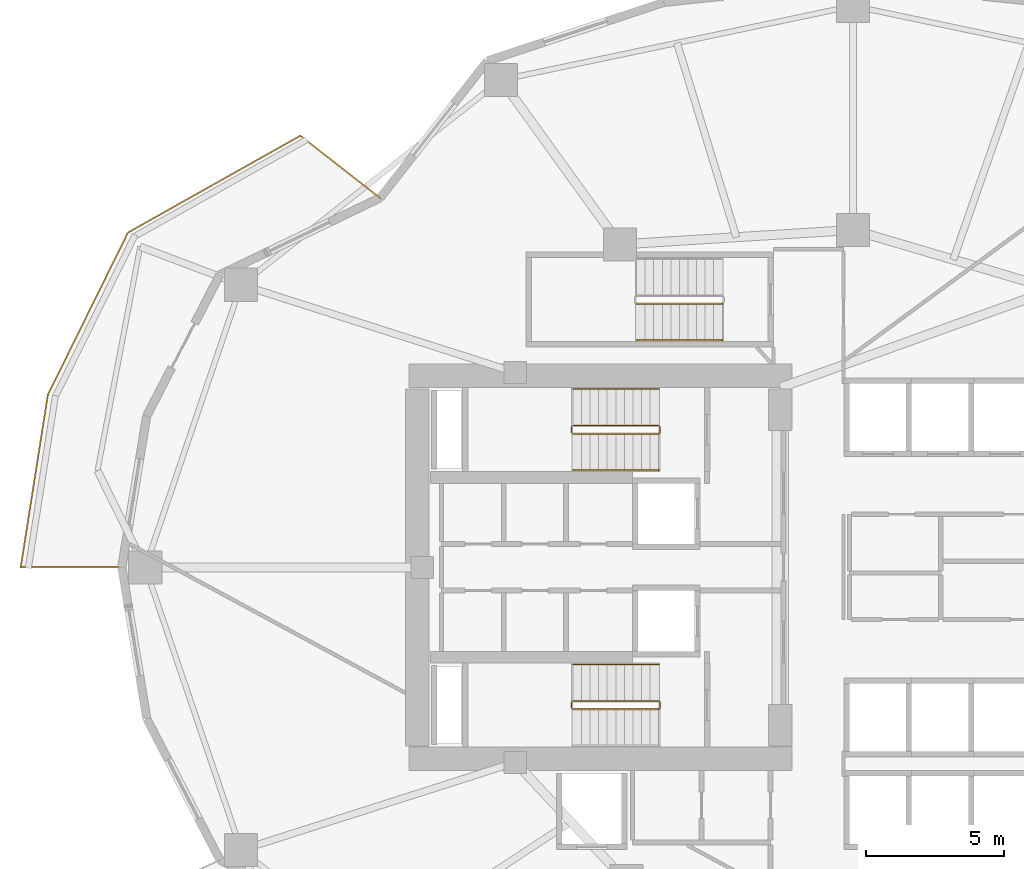
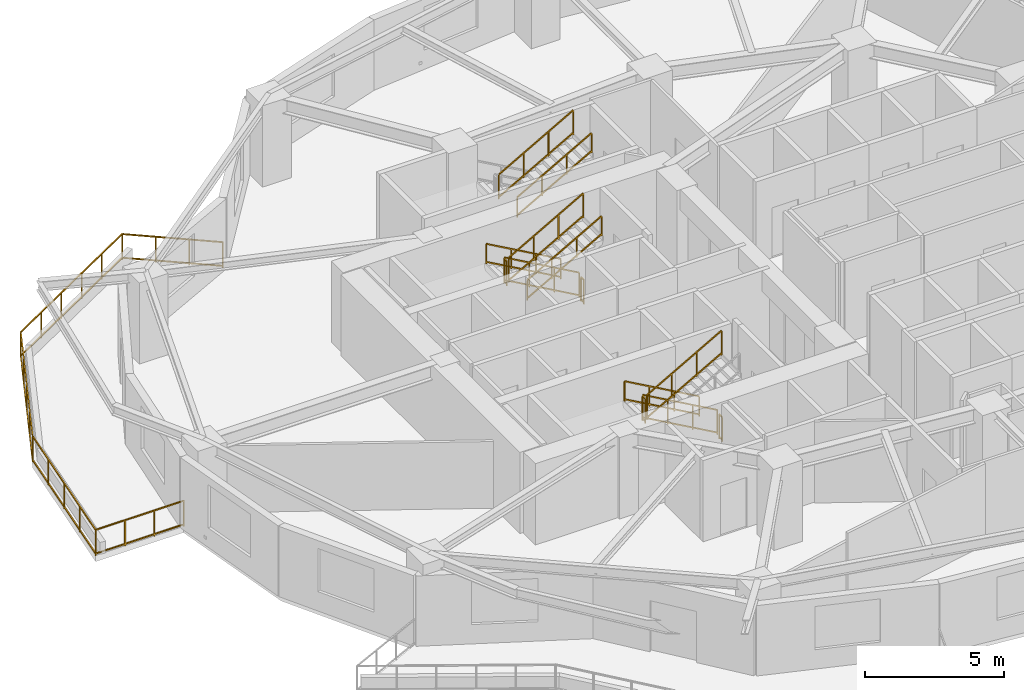
# One storey, part 9 of 11: 14 railings.
"""IFC4 building model written with IfcOpenShell, lengths in metres."""

from ifc_helpers import new_model, si_unit, direction, frame, origin, origin_2d, place, context, subcontext, project, spatial, rectangle, extrude, material, type_object, element, save


model = new_model("IFC4")

# Units and contexts
model_context = context("Model", 3, precision=1e-05, world=origin(), true_north=direction((0.0, 1.0)))
body_context = subcontext(model_context, "Body", "Model", "MODEL_VIEW")
ifc_project = project(units=[si_unit("LENGTHUNIT", "METRE"), si_unit("AREAUNIT", "SQUARE_METRE"), si_unit("VOLUMEUNIT", "CUBIC_METRE"), si_unit("PLANEANGLEUNIT", "RADIAN"), si_unit("MASSUNIT", "GRAM", prefix="KILO")], contexts=[model_context])

# Site, building, storey
site_placement = place(None, origin())
site = spatial("IfcSite", under=ifc_project, at=site_placement, CompositionType="ELEMENT")
building_placement = place(site_placement, origin())
building = spatial("IfcBuilding", under=site, at=building_placement, Name="Kolvaren Gate Tower and Convention Centre", CompositionType="ELEMENT")
storey_placement = place(building_placement, frame((0.0, 0.0, 88.10009765625)))
storey = spatial("IfcBuildingStorey", under=building, at=storey_placement, Name="L21", CompositionType="ELEMENT", Elevation=88.10009765625)

# Railings
ifc_material = material(Name="Brushed Stainless Steel Grade 316L", Category="steel")
railing_type_1 = type_object("IfcRailingType", Name="ARCH-RL-GUARD-1150", PredefinedType="GUARDRAIL", material=ifc_material)
railing_1_placement = place(storey_placement, frame((23.10009765625, 32.1298828125, 0.1748046875)))
element("IfcRailing", 1, at=railing_1_placement, inside=storey, type_object=railing_type_1, Name="L21 ST-T1 stair guard 1", PredefinedType="GUARDRAIL", context=body_context, shape_type="SweptSolid", body=[
    extrude(rectangle(XDim=0.048095703125, YDim=0.048095703125, at=origin_2d()), frame((0.0, 0.0, 1.076171875), z_axis=(-0.870830938388, 0.0, 0.491582624537), x_axis=(0.0, -1.0, 0.0)), (0.0, 0.0, 1.0), 3.559814453125),
    extrude(rectangle(XDim=0.048095703125, YDim=0.048095703125, at=origin_2d()), frame((0.0, 0.0, 0.083984375), z_axis=(-0.870830938388, 0.0, 0.491582624537), x_axis=(0.0, -1.0, 0.0)), (0.0, 0.0, 1.0), 3.559814453125),
    extrude(rectangle(XDim=0.0419921875, YDim=0.0419921875, at=origin_2d()), origin(), (0.0, 0.0, 1.0), 1.050048828125),
    extrude(rectangle(XDim=0.0419921875, YDim=0.0419921875, at=origin_2d()), frame((-3.10009765625, 0.0, 1.75)), (0.0, 0.0, 1.0), 1.050048828125),
    extrude(rectangle(XDim=0.0419921875, YDim=0.0419921875, at=origin_2d()), frame((-1.033447265625, 0.0, 0.583251953125)), (0.0, 0.0, 1.0), 1.050048828125),
    extrude(rectangle(XDim=0.0419921875, YDim=0.0419921875, at=origin_2d()), frame((-2.066650390625, 0.0, 1.166748046875)), (0.0, 0.0, 1.0), 1.050048828125),
])
railing_2_placement = place(storey_placement, frame((19.949951171875, 32.080078125, 1.9248046875)))
element("IfcRailing", 2, at=railing_2_placement, inside=storey, type_object=railing_type_1, Name="L21 ST-T1 stair guard 2", PredefinedType="GUARDRAIL", context=body_context, shape_type="SweptSolid", body=[
    extrude(rectangle(XDim=0.048095703125, YDim=0.048095703125, at=origin_2d()), frame((0.0, 0.0, 1.076171875), z_axis=(0.0, -1.0, 0.0), x_axis=(1.0, 0.0, 0.0)), (0.0, 0.0, 1.0), 0.2001953125),
    extrude(rectangle(XDim=0.048095703125, YDim=0.048095703125, at=origin_2d()), frame((0.0, 0.0, 0.083984375), z_axis=(0.0, -1.0, 0.0), x_axis=(1.0, 0.0, 0.0)), (0.0, 0.0, 1.0), 0.2001953125),
    extrude(rectangle(XDim=0.0419921875, YDim=0.0419921875, at=origin_2d()), origin(), (0.0, 0.0, 1.0), 1.050048828125),
    extrude(rectangle(XDim=0.0419921875, YDim=0.0419921875, at=origin_2d()), frame((0.0, -0.2001953125, 0.0)), (0.0, 0.0, 1.0), 1.050048828125),
])
railing_3_placement = place(storey_placement, frame((20.0, 31.830078125, 2.099853515625)))
element("IfcRailing", 3, at=railing_3_placement, inside=storey, type_object=railing_type_1, Name="L21 ST-T1 stair guard 3", PredefinedType="GUARDRAIL", context=body_context, shape_type="SweptSolid", body=[
    extrude(rectangle(XDim=0.048095703125, YDim=0.048095703125, at=origin_2d()), frame((0.0, 0.0, 1.076171875), z_axis=(0.870830938388, 0.0, 0.491582624537), x_axis=(0.0, 1.0, 0.0)), (0.0, 0.0, 1.0), 3.559814453125),
    extrude(rectangle(XDim=0.048095703125, YDim=0.048095703125, at=origin_2d()), frame((0.0, 0.0, 0.083984375), z_axis=(0.870830938388, 0.0, 0.491582624537), x_axis=(0.0, 1.0, 0.0)), (0.0, 0.0, 1.0), 3.559814453125),
    extrude(rectangle(XDim=0.0419921875, YDim=0.0419921875, at=origin_2d()), origin(), (0.0, 0.0, 1.0), 1.050048828125),
    extrude(rectangle(XDim=0.0419921875, YDim=0.0419921875, at=origin_2d()), frame((3.10009765625, 0.0, 1.75)), (0.0, 0.0, 1.0), 1.050048828125),
    extrude(rectangle(XDim=0.0419921875, YDim=0.0419921875, at=origin_2d()), frame((1.033447265625, 0.0, 0.583251953125)), (0.0, 0.0, 1.0), 1.050048828125),
    extrude(rectangle(XDim=0.0419921875, YDim=0.0419921875, at=origin_2d()), frame((2.066650390625, 0.0, 1.166748046875)), (0.0, 0.0, 1.0), 1.050048828125),
])
railing_4_placement = place(storey_placement, frame((23.14990234375, 32.080078125, 0.0)))
element("IfcRailing", 4, at=railing_4_placement, inside=storey, type_object=railing_type_1, Name="L21 ST-T1 stair guard 4", PredefinedType="GUARDRAIL", context=body_context, shape_type="SweptSolid", body=[
    extrude(rectangle(XDim=0.048095703125, YDim=0.048095703125, at=origin_2d()), frame((0.0, 0.0, 1.076171875), z_axis=(0.0, -1.0, 0.0), x_axis=(1.0, 0.0, 0.0)), (0.0, 0.0, 1.0), 0.2001953125),
    extrude(rectangle(XDim=0.048095703125, YDim=0.048095703125, at=origin_2d()), frame((0.0, 0.0, 0.083984375), z_axis=(0.0, -1.0, 0.0), x_axis=(1.0, 0.0, 0.0)), (0.0, 0.0, 1.0), 0.2001953125),
    extrude(rectangle(XDim=0.0419921875, YDim=0.0419921875, at=origin_2d()), origin(), (0.0, 0.0, 1.0), 1.050048828125),
    extrude(rectangle(XDim=0.0419921875, YDim=0.0419921875, at=origin_2d()), frame((0.0, -0.2001953125, 0.0)), (0.0, 0.0, 1.0), 1.050048828125),
])
railing_5_placement = place(storey_placement, frame((23.10009765625, 22.169921875, 0.1748046875)))
element("IfcRailing", 5, at=railing_5_placement, inside=storey, type_object=railing_type_1, Name="L21 ST-T2 stair guard 1", PredefinedType="GUARDRAIL", context=body_context, shape_type="SweptSolid", body=[
    extrude(rectangle(XDim=0.048095703125, YDim=0.048095703125, at=origin_2d()), frame((0.0, 0.0, 1.076171875), z_axis=(-0.870830938388, 0.0, 0.491582624537), x_axis=(0.0, -1.0, 0.0)), (0.0, 0.0, 1.0), 3.559814453125),
    extrude(rectangle(XDim=0.048095703125, YDim=0.048095703125, at=origin_2d()), frame((0.0, 0.0, 0.083984375), z_axis=(-0.870830938388, 0.0, 0.491582624537), x_axis=(0.0, -1.0, 0.0)), (0.0, 0.0, 1.0), 3.559814453125),
    extrude(rectangle(XDim=0.0419921875, YDim=0.0419921875, at=origin_2d()), origin(), (0.0, 0.0, 1.0), 1.050048828125),
    extrude(rectangle(XDim=0.0419921875, YDim=0.0419921875, at=origin_2d()), frame((-3.10009765625, 0.0, 1.75)), (0.0, 0.0, 1.0), 1.050048828125),
    extrude(rectangle(XDim=0.0419921875, YDim=0.0419921875, at=origin_2d()), frame((-1.033447265625, 0.0, 0.583251953125)), (0.0, 0.0, 1.0), 1.050048828125),
    extrude(rectangle(XDim=0.0419921875, YDim=0.0419921875, at=origin_2d()), frame((-2.066650390625, 0.0, 1.166748046875)), (0.0, 0.0, 1.0), 1.050048828125),
])
railing_6_placement = place(storey_placement, frame((19.949951171875, 22.1201171875, 1.9248046875)))
element("IfcRailing", 6, at=railing_6_placement, inside=storey, type_object=railing_type_1, Name="L21 ST-T2 stair guard 2", PredefinedType="GUARDRAIL", context=body_context, shape_type="SweptSolid", body=[
    extrude(rectangle(XDim=0.048095703125, YDim=0.048095703125, at=origin_2d()), frame((0.0, 0.0, 1.076171875), z_axis=(0.0, -1.0, 0.0), x_axis=(1.0, 0.0, 0.0)), (0.0, 0.0, 1.0), 0.2001953125),
    extrude(rectangle(XDim=0.048095703125, YDim=0.048095703125, at=origin_2d()), frame((0.0, 0.0, 0.083984375), z_axis=(0.0, -1.0, 0.0), x_axis=(1.0, 0.0, 0.0)), (0.0, 0.0, 1.0), 0.2001953125),
    extrude(rectangle(XDim=0.0419921875, YDim=0.0419921875, at=origin_2d()), origin(), (0.0, 0.0, 1.0), 1.050048828125),
    extrude(rectangle(XDim=0.0419921875, YDim=0.0419921875, at=origin_2d()), frame((0.0, -0.2001953125, 0.0)), (0.0, 0.0, 1.0), 1.050048828125),
])
railing_7_placement = place(storey_placement, frame((20.0, 21.8701171875, 2.099853515625)))
element("IfcRailing", 7, at=railing_7_placement, inside=storey, type_object=railing_type_1, Name="L21 ST-T2 stair guard 3", PredefinedType="GUARDRAIL", context=body_context, shape_type="SweptSolid", body=[
    extrude(rectangle(XDim=0.048095703125, YDim=0.048095703125, at=origin_2d()), frame((0.0, 0.0, 1.076171875), z_axis=(0.870830938388, 0.0, 0.491582624537), x_axis=(0.0, 1.0, 0.0)), (0.0, 0.0, 1.0), 3.559814453125),
    extrude(rectangle(XDim=0.048095703125, YDim=0.048095703125, at=origin_2d()), frame((0.0, 0.0, 0.083984375), z_axis=(0.870830938388, 0.0, 0.491582624537), x_axis=(0.0, 1.0, 0.0)), (0.0, 0.0, 1.0), 3.559814453125),
    extrude(rectangle(XDim=0.0419921875, YDim=0.0419921875, at=origin_2d()), origin(), (0.0, 0.0, 1.0), 1.050048828125),
    extrude(rectangle(XDim=0.0419921875, YDim=0.0419921875, at=origin_2d()), frame((3.10009765625, 0.0, 1.75)), (0.0, 0.0, 1.0), 1.050048828125),
    extrude(rectangle(XDim=0.0419921875, YDim=0.0419921875, at=origin_2d()), frame((1.033447265625, 0.0, 0.583251953125)), (0.0, 0.0, 1.0), 1.050048828125),
    extrude(rectangle(XDim=0.0419921875, YDim=0.0419921875, at=origin_2d()), frame((2.066650390625, 0.0, 1.166748046875)), (0.0, 0.0, 1.0), 1.050048828125),
])
railing_8_placement = place(storey_placement, frame((23.14990234375, 22.1201171875, 0.0)))
element("IfcRailing", 8, at=railing_8_placement, inside=storey, type_object=railing_type_1, Name="L21 ST-T2 stair guard 4", PredefinedType="GUARDRAIL", context=body_context, shape_type="SweptSolid", body=[
    extrude(rectangle(XDim=0.048095703125, YDim=0.048095703125, at=origin_2d()), frame((0.0, 0.0, 1.076171875), z_axis=(0.0, -1.0, 0.0), x_axis=(1.0, 0.0, 0.0)), (0.0, 0.0, 1.0), 0.2001953125),
    extrude(rectangle(XDim=0.048095703125, YDim=0.048095703125, at=origin_2d()), frame((0.0, 0.0, 0.083984375), z_axis=(0.0, -1.0, 0.0), x_axis=(1.0, 0.0, 0.0)), (0.0, 0.0, 1.0), 0.2001953125),
    extrude(rectangle(XDim=0.0419921875, YDim=0.0419921875, at=origin_2d()), origin(), (0.0, 0.0, 1.0), 1.050048828125),
    extrude(rectangle(XDim=0.0419921875, YDim=0.0419921875, at=origin_2d()), frame((0.0, -0.2001953125, 0.0)), (0.0, 0.0, 1.0), 1.050048828125),
])
railing_9_placement = place(storey_placement, frame((22.300048828125, 36.530029296875, 2.099853515625)))
element("IfcRailing", 9, at=railing_9_placement, inside=storey, type_object=railing_type_1, Name="L21 ST-T3 stair guard 3", PredefinedType="GUARDRAIL", context=body_context, shape_type="SweptSolid", body=[
    extrude(rectangle(XDim=0.048095703125, YDim=0.048095703125, at=origin_2d()), frame((0.0, 0.0, 1.076171875), z_axis=(0.870814364268, 0.0, 0.491611984175), x_axis=(0.0, 1.0, 0.0)), (0.0, 0.0, 1.0), 3.559814453125),
    extrude(rectangle(XDim=0.048095703125, YDim=0.048095703125, at=origin_2d()), frame((0.0, 0.0, 0.083984375), z_axis=(0.870814364268, 0.0, 0.491611984175), x_axis=(0.0, 1.0, 0.0)), (0.0, 0.0, 1.0), 3.559814453125),
    extrude(rectangle(XDim=0.0419921875, YDim=0.0419921875, at=origin_2d()), origin(), (0.0, 0.0, 1.0), 1.050048828125),
    extrude(rectangle(XDim=0.0419921875, YDim=0.0419921875, at=origin_2d()), frame((3.099853515625, 0.0, 1.75)), (0.0, 0.0, 1.0), 1.050048828125),
    extrude(rectangle(XDim=0.0419921875, YDim=0.0419921875, at=origin_2d()), frame((1.033203125, 0.0, 0.583251953125)), (0.0, 0.0, 1.0), 1.050048828125),
    extrude(rectangle(XDim=0.0419921875, YDim=0.0419921875, at=origin_2d()), frame((2.066650390625, 0.0, 1.166748046875)), (0.0, 0.0, 1.0), 1.050048828125),
])
railing_10_placement = place(storey_placement, frame((13.026123046875, 40.360107421875, 0.0)))
element("IfcRailing", 10, at=railing_10_placement, inside=storey, type_object=railing_type_1, Name="Tower L21 Terrace Perimeter Guardrail GR-2", PredefinedType="GUARDRAIL", context=body_context, shape_type="SweptSolid", body=[
    extrude(rectangle(XDim=0.048095703125, YDim=0.048095703125, at=origin_2d()), frame((-0.022216796875, 0.017333984375, 1.1259765625), z_axis=(-0.787988976981, 0.61568934712, 0.0), x_axis=(-0.61568934712, -0.787988976981, 0.0)), (0.0, 0.0, 1.0), 3.60400390625),
    extrude(rectangle(XDim=0.048095703125, YDim=0.048095703125, at=origin_2d()), frame((-0.022216796875, 0.017333984375, 0.083984375), z_axis=(-0.787988976981, 0.61568934712, 0.0), x_axis=(-0.61568934712, -0.787988976981, 0.0)), (0.0, 0.0, 1.0), 3.60400390625),
    extrude(rectangle(XDim=0.048095703125, YDim=0.048095703125, at=origin_2d()), frame((-2.908447265625, 2.23974609375, 1.1259765625), z_axis=(-0.871783301661, -0.489891697159, 0.0), x_axis=(0.489891697159, -0.871783301661, 0.0)), (0.0, 0.0, 1.0), 7.096435546875),
    extrude(rectangle(XDim=0.048095703125, YDim=0.048095703125, at=origin_2d()), frame((-2.908447265625, 2.23974609375, 0.083984375), z_axis=(-0.871783301661, -0.489891697159, 0.0), x_axis=(0.489891697159, -0.871783301661, 0.0)), (0.0, 0.0, 1.0), 7.096435546875),
    extrude(rectangle(XDim=0.048095703125, YDim=0.048095703125, at=origin_2d()), frame((-9.1318359375, -1.275634765625, 1.1259765625), z_axis=(-0.442686636348, -0.89667638644, 0.0), x_axis=(0.89667638644, -0.442686636348, 0.0)), (0.0, 0.0, 1.0), 6.488525390625),
    extrude(rectangle(XDim=0.048095703125, YDim=0.048095703125, at=origin_2d()), frame((-9.1318359375, -1.275634765625, 0.083984375), z_axis=(-0.442686636348, -0.89667638644, 0.0), x_axis=(0.89667638644, -0.442686636348, 0.0)), (0.0, 0.0, 1.0), 6.488525390625),
    extrude(rectangle(XDim=0.048095703125, YDim=0.048095703125, at=origin_2d()), frame((-12.02099609375, -7.146484375, 1.1259765625), z_axis=(-0.155418843943, -0.98784866399, 0.0), x_axis=(0.98784866399, -0.155418843943, 0.0)), (0.0, 0.0, 1.0), 6.261962890625),
    extrude(rectangle(XDim=0.048095703125, YDim=0.048095703125, at=origin_2d()), frame((-12.02099609375, -7.146484375, 0.083984375), z_axis=(-0.155418843943, -0.98784866399, 0.0), x_axis=(0.98784866399, -0.155418843943, 0.0)), (0.0, 0.0, 1.0), 6.261962890625),
    extrude(rectangle(XDim=0.048095703125, YDim=0.048095703125, at=origin_2d()), frame((-12.970458984375, -13.360107421875, 1.1259765625), z_axis=(1.0, 0.0, 0.0), x_axis=(0.0, 1.0, 0.0)), (0.0, 0.0, 1.0), 3.603759765625),
    extrude(rectangle(XDim=0.048095703125, YDim=0.048095703125, at=origin_2d()), frame((-12.970458984375, -13.360107421875, 0.083984375), z_axis=(1.0, 0.0, 0.0), x_axis=(0.0, 1.0, 0.0)), (0.0, 0.0, 1.0), 3.603759765625),
    extrude(rectangle(XDim=0.0419921875, YDim=0.0419921875, at=origin_2d()), origin(), (0.0, 0.0, 1.0), 1.14990234375),
    extrude(rectangle(XDim=0.0419921875, YDim=0.0419921875, at=origin_2d()), frame((-2.884033203125, 2.25341796875, 0.0)), (0.0, 0.0, 1.0), 1.14990234375),
    extrude(rectangle(XDim=0.0419921875, YDim=0.0419921875, at=origin_2d()), frame((-0.96142578125, 0.751220703125, 0.0)), (0.0, 0.0, 1.0), 1.099853515625),
    extrude(rectangle(XDim=0.0419921875, YDim=0.0419921875, at=origin_2d()), frame((-1.922607421875, 1.502197265625, 0.0)), (0.0, 0.0, 1.0), 1.099853515625),
    extrude(rectangle(XDim=0.0419921875, YDim=0.0419921875, at=origin_2d()), frame((-9.119384765625, -1.25048828125, 0.0)), (0.0, 0.0, 1.0), 1.14990234375),
    extrude(rectangle(XDim=0.0419921875, YDim=0.0419921875, at=origin_2d()), frame((-4.131103515625, 1.552734375, 0.0)), (0.0, 0.0, 1.0), 1.099853515625),
    extrude(rectangle(XDim=0.0419921875, YDim=0.0419921875, at=origin_2d()), frame((-5.378173828125, 0.851806640625, 0.0)), (0.0, 0.0, 1.0), 1.099853515625),
    extrude(rectangle(XDim=0.0419921875, YDim=0.0419921875, at=origin_2d()), frame((-6.625244140625, 0.151123046875, 0.0)), (0.0, 0.0, 1.0), 1.099853515625),
    extrude(rectangle(XDim=0.0419921875, YDim=0.0419921875, at=origin_2d()), frame((-7.872314453125, -0.5498046875, 0.0)), (0.0, 0.0, 1.0), 1.099853515625),
    extrude(rectangle(XDim=0.0419921875, YDim=0.0419921875, at=origin_2d()), frame((-12.0166015625, -7.118896484375, 0.0)), (0.0, 0.0, 1.0), 1.14990234375),
    extrude(rectangle(XDim=0.0419921875, YDim=0.0419921875, at=origin_2d()), frame((-9.84375, -2.717529296875, 0.0)), (0.0, 0.0, 1.0), 1.099853515625),
    extrude(rectangle(XDim=0.0419921875, YDim=0.0419921875, at=origin_2d()), frame((-10.56787109375, -4.1845703125, 0.0)), (0.0, 0.0, 1.0), 1.099853515625),
    extrude(rectangle(XDim=0.0419921875, YDim=0.0419921875, at=origin_2d()), frame((-11.292236328125, -5.65185546875, 0.0)), (0.0, 0.0, 1.0), 1.099853515625),
    extrude(rectangle(XDim=0.0419921875, YDim=0.0419921875, at=origin_2d()), frame((-12.99853515625, -13.360107421875, 0.0)), (0.0, 0.0, 1.0), 1.14990234375),
    extrude(rectangle(XDim=0.0419921875, YDim=0.0419921875, at=origin_2d()), frame((-12.26220703125, -8.67919921875, 0.0)), (0.0, 0.0, 1.0), 1.099853515625),
    extrude(rectangle(XDim=0.0419921875, YDim=0.0419921875, at=origin_2d()), frame((-12.507568359375, -10.239501953125, 0.0)), (0.0, 0.0, 1.0), 1.099853515625),
    extrude(rectangle(XDim=0.0419921875, YDim=0.0419921875, at=origin_2d()), frame((-12.7529296875, -11.7998046875, 0.0)), (0.0, 0.0, 1.0), 1.099853515625),
    extrude(rectangle(XDim=0.0419921875, YDim=0.0419921875, at=origin_2d()), frame((-9.338623046875, -13.360107421875, 0.0)), (0.0, 0.0, 1.0), 1.14990234375),
    extrude(rectangle(XDim=0.0419921875, YDim=0.0419921875, at=origin_2d()), frame((-11.778564453125, -13.360107421875, 0.0)), (0.0, 0.0, 1.0), 1.099853515625),
    extrude(rectangle(XDim=0.0419921875, YDim=0.0419921875, at=origin_2d()), frame((-10.55859375, -13.360107421875, 0.0)), (0.0, 0.0, 1.0), 1.099853515625),
])
railing_type_2 = type_object("IfcRailingType", Name="ARCH-RL-HANDRAIL-920", PredefinedType="HANDRAIL", material=ifc_material)
railing_11_placement = place(storey_placement, frame((23.10009765625, 33.449951171875, 0.1748046875)))
element("IfcRailing", 11, at=railing_11_placement, inside=storey, type_object=railing_type_2, Name="L21 ST-T1 stair handrail 1", PredefinedType="HANDRAIL", context=body_context, shape_type="SweptSolid", body=[
    extrude(rectangle(XDim=0.048095703125, YDim=0.048095703125, at=origin_2d()), frame((0.0, 0.0, 0.8759765625), z_axis=(-0.870830938388, 0.0, 0.491582624537), x_axis=(0.0, -1.0, 0.0)), (0.0, 0.0, 1.0), 3.559814453125),
    extrude(rectangle(XDim=0.048095703125, YDim=0.048095703125, at=origin_2d()), frame((0.0, 0.0, 0.083984375), z_axis=(-0.870830938388, 0.0, 0.491582624537), x_axis=(0.0, -1.0, 0.0)), (0.0, 0.0, 1.0), 3.559814453125),
    extrude(rectangle(XDim=0.0419921875, YDim=0.0419921875, at=origin_2d()), origin(), (0.0, 0.0, 1.0), 0.849853515625),
    extrude(rectangle(XDim=0.0419921875, YDim=0.0419921875, at=origin_2d()), frame((-3.10009765625, 0.0, 1.75)), (0.0, 0.0, 1.0), 0.849853515625),
    extrude(rectangle(XDim=0.0419921875, YDim=0.0419921875, at=origin_2d()), frame((-1.033447265625, 0.0, 0.583251953125)), (0.0, 0.0, 1.0), 0.849853515625),
    extrude(rectangle(XDim=0.0419921875, YDim=0.0419921875, at=origin_2d()), frame((-2.066650390625, 0.0, 1.166748046875)), (0.0, 0.0, 1.0), 0.849853515625),
])
railing_12_placement = place(storey_placement, frame((20.0, 30.510009765625, 2.099853515625)))
element("IfcRailing", 12, at=railing_12_placement, inside=storey, type_object=railing_type_2, Name="L21 ST-T1 stair handrail 2", PredefinedType="HANDRAIL", context=body_context, shape_type="SweptSolid", body=[
    extrude(rectangle(XDim=0.048095703125, YDim=0.048095703125, at=origin_2d()), frame((0.0, 0.0, 0.8759765625), z_axis=(0.870830938388, 0.0, 0.491582624537), x_axis=(0.0, 1.0, 0.0)), (0.0, 0.0, 1.0), 3.559814453125),
    extrude(rectangle(XDim=0.048095703125, YDim=0.048095703125, at=origin_2d()), frame((0.0, 0.0, 0.083984375), z_axis=(0.870830938388, 0.0, 0.491582624537), x_axis=(0.0, 1.0, 0.0)), (0.0, 0.0, 1.0), 3.559814453125),
    extrude(rectangle(XDim=0.0419921875, YDim=0.0419921875, at=origin_2d()), origin(), (0.0, 0.0, 1.0), 0.849853515625),
    extrude(rectangle(XDim=0.0419921875, YDim=0.0419921875, at=origin_2d()), frame((3.10009765625, 0.0, 1.75)), (0.0, 0.0, 1.0), 0.849853515625),
    extrude(rectangle(XDim=0.0419921875, YDim=0.0419921875, at=origin_2d()), frame((1.033447265625, 0.0, 0.583251953125)), (0.0, 0.0, 1.0), 0.849853515625),
    extrude(rectangle(XDim=0.0419921875, YDim=0.0419921875, at=origin_2d()), frame((2.066650390625, 0.0, 1.166748046875)), (0.0, 0.0, 1.0), 0.849853515625),
])
railing_13_placement = place(storey_placement, frame((23.10009765625, 23.489990234375, 0.1748046875)))
element("IfcRailing", 13, at=railing_13_placement, inside=storey, type_object=railing_type_2, Name="L21 ST-T2 stair handrail 1", PredefinedType="HANDRAIL", context=body_context, shape_type="SweptSolid", body=[
    extrude(rectangle(XDim=0.048095703125, YDim=0.048095703125, at=origin_2d()), frame((0.0, 0.0, 0.8759765625), z_axis=(-0.870830938388, 0.0, 0.491582624537), x_axis=(0.0, -1.0, 0.0)), (0.0, 0.0, 1.0), 3.559814453125),
    extrude(rectangle(XDim=0.048095703125, YDim=0.048095703125, at=origin_2d()), frame((0.0, 0.0, 0.083984375), z_axis=(-0.870830938388, 0.0, 0.491582624537), x_axis=(0.0, -1.0, 0.0)), (0.0, 0.0, 1.0), 3.559814453125),
    extrude(rectangle(XDim=0.0419921875, YDim=0.0419921875, at=origin_2d()), origin(), (0.0, 0.0, 1.0), 0.849853515625),
    extrude(rectangle(XDim=0.0419921875, YDim=0.0419921875, at=origin_2d()), frame((-3.10009765625, 0.0, 1.75)), (0.0, 0.0, 1.0), 0.849853515625),
    extrude(rectangle(XDim=0.0419921875, YDim=0.0419921875, at=origin_2d()), frame((-1.033447265625, 0.0, 0.583251953125)), (0.0, 0.0, 1.0), 0.849853515625),
    extrude(rectangle(XDim=0.0419921875, YDim=0.0419921875, at=origin_2d()), frame((-2.066650390625, 0.0, 1.166748046875)), (0.0, 0.0, 1.0), 0.849853515625),
])
railing_14_placement = place(storey_placement, frame((22.300048828125, 35.2099609375, 2.099853515625)))
element("IfcRailing", 14, at=railing_14_placement, inside=storey, type_object=railing_type_2, Name="L21 ST-T3 stair handrail 2", PredefinedType="HANDRAIL", context=body_context, shape_type="SweptSolid", body=[
    extrude(rectangle(XDim=0.048095703125, YDim=0.048095703125, at=origin_2d()), frame((0.0, 0.0, 0.8759765625), z_axis=(0.870814364268, 0.0, 0.491611984175), x_axis=(0.0, 1.0, 0.0)), (0.0, 0.0, 1.0), 3.559814453125),
    extrude(rectangle(XDim=0.048095703125, YDim=0.048095703125, at=origin_2d()), frame((0.0, 0.0, 0.083984375), z_axis=(0.870814364268, 0.0, 0.491611984175), x_axis=(0.0, 1.0, 0.0)), (0.0, 0.0, 1.0), 3.559814453125),
    extrude(rectangle(XDim=0.0419921875, YDim=0.0419921875, at=origin_2d()), origin(), (0.0, 0.0, 1.0), 0.849853515625),
    extrude(rectangle(XDim=0.0419921875, YDim=0.0419921875, at=origin_2d()), frame((3.099853515625, 0.0, 1.75)), (0.0, 0.0, 1.0), 0.849853515625),
    extrude(rectangle(XDim=0.0419921875, YDim=0.0419921875, at=origin_2d()), frame((1.033203125, 0.0, 0.583251953125)), (0.0, 0.0, 1.0), 0.849853515625),
    extrude(rectangle(XDim=0.0419921875, YDim=0.0419921875, at=origin_2d()), frame((2.066650390625, 0.0, 1.166748046875)), (0.0, 0.0, 1.0), 0.849853515625),
])

save(model, "model.ifc")
